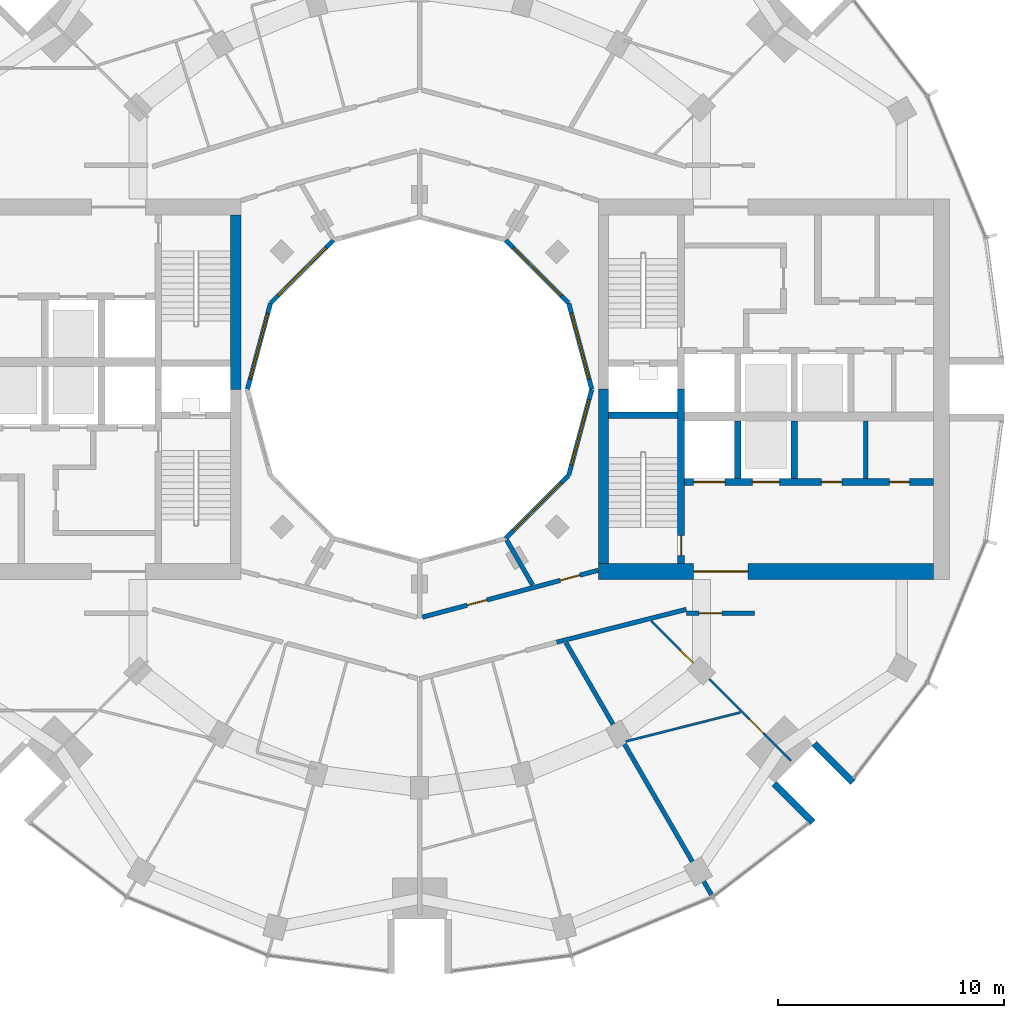
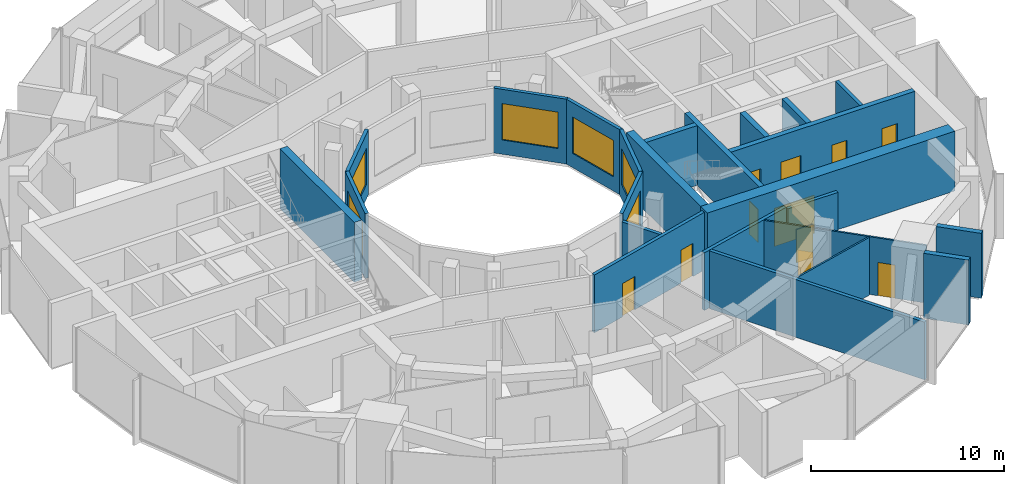
# One storey, part 10 of 15: 24 walls, 11 doors, 6 windows, 17 openings.
"""IFC4 building model written with IfcOpenShell, lengths in metres."""

from ifc_helpers import new_model, si_unit, direction, frame, frame_2d, origin, place, context, subcontext, project, spatial, rectangle, extrude, material, layer, layer_set, type_object, element, fill, save


model = new_model("IFC4")

# Units and contexts
model_context = context("Model", 3, precision=1e-05, world=origin(), true_north=direction((0.0, 1.0)))
body_context = subcontext(model_context, "Body", "Model", "MODEL_VIEW")
ifc_project = project(units=[si_unit("LENGTHUNIT", "METRE"), si_unit("AREAUNIT", "SQUARE_METRE"), si_unit("VOLUMEUNIT", "CUBIC_METRE"), si_unit("PLANEANGLEUNIT", "RADIAN"), si_unit("MASSUNIT", "GRAM", prefix="KILO")], contexts=[model_context])

# Site, building, storey
site_placement = place(None, origin())
site = spatial("IfcSite", under=ifc_project, at=site_placement, CompositionType="ELEMENT")
building_placement = place(site_placement, origin())
building = spatial("IfcBuilding", under=site, at=building_placement, Name="Torre Brocal", CompositionType="ELEMENT")
storey_placement = place(building_placement, frame((0.0, 0.0, 157.699951171875)))
storey = spatial("IfcBuildingStorey", under=building, at=storey_placement, Name="L36", CompositionType="ELEMENT", Elevation=157.699951171875)

# Wall
ifc_material_1 = material(Name="Masonry block", Category="masonry")
ifc_layer_1 = layer(ifc_material_1, 0.199951171875)
ifc_layer_set_1 = layer_set([ifc_layer_1], Name="Masonry block")
wall_type_1 = type_object("IfcWallType", Name="CORE PARTITION 200", PredefinedType="PARTITIONING", material=ifc_layer_set_1)
wall_1_placement = place(storey_placement, frame((99.699951171875, 71.050048828125, 0.0), z_axis=(0.0, 0.0, 1.0), x_axis=(0.0, 1.0, 0.0)))
element("IfcWall", 1, at=wall_1_placement, inside=storey, type_object=wall_type_1, Name="Wall CP200", PredefinedType="PARTITIONING", context=body_context, shape_type="SweptSolid", body=[
    extrude(rectangle(XDim=2.550048828125, YDim=0.199951171875, at=frame_2d((1.27490234375, 0.0))), origin(), (0.0, 0.0, 1.0), 3.780029296875),
])

# Wall, opening, door
ifc_material_2 = material(Name="Concrete C70", Category="concrete")
ifc_layer_2 = layer(ifc_material_2, 0.300048828125)
ifc_layer_set_2 = layer_set([ifc_layer_2], Name="Concrete C70")
wall_type_2 = type_object("IfcWallType", Name="CORE WALL 300 C70", PredefinedType="SHEAR", material=ifc_layer_set_2)
wall_2_placement = place(storey_placement, frame((91.550048828125, 67.300048828125, 0.0), z_axis=(0.0, 0.0, 1.0), x_axis=(0.0, 1.0, 0.0)))
wall_2 = element("IfcWall", 2, at=wall_2_placement, inside=storey, type_object=wall_type_2, Name="Wall CW300-70", PredefinedType="SHEAR", context=body_context, shape_type="SweptSolid", body=[
    extrude(rectangle(XDim=7.699951171875, YDim=0.300048828125, at=frame_2d((3.85009765625, 0.0))), origin(), (0.0, 0.0, 1.0), 3.780029296875),
])
opening_1_placement = place(wall_2_placement, frame((0.35009765625, 0.0, 0.0)))
opening_1 = element("IfcOpeningElement", 3, at=opening_1_placement, cuts=wall_2, Name="Opening E-D03", PredefinedType="OPENING", context=body_context, shape_type="SweptSolid", body=[
    extrude(rectangle(XDim=0.89990234375, YDim=2.10009765625, at=frame_2d((0.449951171875, 1.050048828125))), frame((0.0, 0.159912109375, 0.0), z_axis=(0.0, -1.0, 0.0), x_axis=(1.0, 0.0, 0.0)), (0.0, 0.0, 1.0), 0.320068359375),
])
ifc_material_3 = material(Name="Steel A653", Category="steel")
door_type_1 = type_object("IfcDoorType", Name="STAIR DOOR FD120 900X2100", OperationType="SINGLE_SWING_RIGHT", PredefinedType="DOOR", material=ifc_material_3)
door_1_placement = place(opening_1_placement, origin())
door_1 = element("IfcDoor", 4, at=door_1_placement, inside=storey, type_object=door_type_1, Name="Door E-D03", OperationType="SINGLE_SWING_LEFT", OverallHeight=2.10009765625, OverallWidth=0.89990234375, PredefinedType="DOOR", context=body_context, shape_type="SweptSolid", body=[
    extrude(rectangle(XDim=0.89990234375, YDim=2.10009765625, at=frame_2d((0.449951171875, 1.050048828125))), frame((0.0, 0.02490234375, 0.0), z_axis=(0.0, -1.0, 0.0), x_axis=(1.0, 0.0, 0.0)), (0.0, 0.0, 1.0), 0.050048828125),
])
fill(opening_1, door_1)

# Wall
wall_3_placement = place(storey_placement, frame((88.35009765625, 73.85009765625, 0.0), z_axis=(0.0, 0.0, 1.0), x_axis=(1.0, 0.0, 0.0)))
element("IfcWall", 5, at=wall_3_placement, inside=storey, type_object=wall_type_2, Name="Wall CW300-70", PredefinedType="SHEAR", context=body_context, shape_type="SweptSolid", body=[
    extrude(rectangle(XDim=3.0498046875, YDim=0.300048828125, at=frame_2d((1.52490234375, 0.0))), origin(), (0.0, 0.0, 1.0), 3.780029296875),
])

# Wall, openings, doors
wall_4_placement = place(storey_placement, frame((91.699951171875, 70.89990234375, 0.0), z_axis=(0.0, 0.0, 1.0), x_axis=(1.0, 0.0, 0.0)))
wall_4 = element("IfcWall", 6, at=wall_4_placement, inside=storey, type_object=wall_type_2, Name="Wall CW300-70", PredefinedType="SHEAR", context=body_context, shape_type="SweptSolid", body=[
    extrude(rectangle(XDim=11.0, YDim=0.300048828125, at=frame_2d((5.5, 0.0))), origin(), (0.0, 0.0, 1.0), 3.780029296875),
])
opening_2_placement = place(wall_4_placement, frame((0.39990234375, 0.0, 0.0)))
opening_2 = element("IfcOpeningElement", 7, at=opening_2_placement, cuts=wall_4, Name="Opening LD14", PredefinedType="OPENING", context=body_context, shape_type="SweptSolid", body=[
    extrude(rectangle(XDim=1.39990234375, YDim=2.10009765625, at=frame_2d((0.699951171875, 1.050048828125))), frame((0.0, 0.159912109375, 0.0), z_axis=(0.0, -1.0, 0.0), x_axis=(1.0, 0.0, 0.0)), (0.0, 0.0, 1.0), 0.320068359375),
])
opening_3_placement = place(wall_4_placement, frame((3.0, 0.0, 0.0)))
opening_3 = element("IfcOpeningElement", 8, at=opening_3_placement, cuts=wall_4, Name="Opening LD12", PredefinedType="OPENING", context=body_context, shape_type="SweptSolid", body=[
    extrude(rectangle(XDim=1.199951171875, YDim=2.10009765625, at=frame_2d((0.60009765625, 1.050048828125))), frame((0.0, 0.159912109375, 0.0), z_axis=(0.0, -1.0, 0.0), x_axis=(1.0, 0.0, 0.0)), (0.0, 0.0, 1.0), 0.320068359375),
])
opening_4_placement = place(wall_4_placement, frame((6.050048828125, 0.0, 0.0)))
opening_4 = element("IfcOpeningElement", 9, at=opening_4_placement, cuts=wall_4, Name="Opening E-D06", PredefinedType="OPENING", context=body_context, shape_type="SweptSolid", body=[
    extrude(rectangle(XDim=0.89990234375, YDim=2.10009765625, at=frame_2d((0.449951171875, 1.050048828125))), frame((0.0, 0.159912109375, 0.0), z_axis=(0.0, -1.0, 0.0), x_axis=(1.0, 0.0, 0.0)), (0.0, 0.0, 1.0), 0.320068359375),
])
opening_5_placement = place(wall_4_placement, frame((9.050048828125, 0.0, 0.0)))
opening_5 = element("IfcOpeningElement", 10, at=opening_5_placement, cuts=wall_4, Name="Opening E-D07", PredefinedType="OPENING", context=body_context, shape_type="SweptSolid", body=[
    extrude(rectangle(XDim=0.89990234375, YDim=2.10009765625, at=frame_2d((0.449951171875, 1.050048828125))), frame((0.0, 0.159912109375, 0.0), z_axis=(0.0, -1.0, 0.0), x_axis=(1.0, 0.0, 0.0)), (0.0, 0.0, 1.0), 0.320068359375),
])
ifc_material_4 = material(Name="Stainless steel AISI 316", Category="steel")
door_type_2 = type_object("IfcDoorType", Name="LIFT LANDING DOOR 1200X2100", OperationType="DOUBLE_DOOR_SLIDING", PredefinedType="DOOR", material=ifc_material_4)
door_2_placement = place(opening_3_placement, origin())
door_2 = element("IfcDoor", 11, at=door_2_placement, inside=storey, type_object=door_type_2, Name="Door LD12", OperationType="DOUBLE_DOOR_SLIDING", OverallHeight=2.10009765625, OverallWidth=1.199951171875, PredefinedType="DOOR", context=body_context, shape_type="SweptSolid", body=[
    extrude(rectangle(XDim=1.199951171875, YDim=2.10009765625, at=frame_2d((0.60009765625, 1.050048828125))), frame((0.0, 0.02490234375, 0.0), z_axis=(0.0, -1.0, 0.0), x_axis=(1.0, 0.0, 0.0)), (0.0, 0.0, 1.0), 0.050048828125),
])
fill(opening_3, door_2)
ifc_material_5 = material(Name="Stainless steel AISI 316", Category="steel")
door_type_3 = type_object("IfcDoorType", Name="LIFT LANDING DOOR 1400X2100", OperationType="DOUBLE_DOOR_SLIDING", PredefinedType="DOOR", material=ifc_material_5)
door_3_placement = place(opening_2_placement, origin())
door_3 = element("IfcDoor", 12, at=door_3_placement, inside=storey, type_object=door_type_3, Name="Door LD14", OperationType="DOUBLE_DOOR_SLIDING", OverallHeight=2.10009765625, OverallWidth=1.39990234375, PredefinedType="DOOR", context=body_context, shape_type="SweptSolid", body=[
    extrude(rectangle(XDim=1.39990234375, YDim=2.10009765625, at=frame_2d((0.699951171875, 1.050048828125))), frame((0.0, 0.02490234375, 0.0), z_axis=(0.0, -1.0, 0.0), x_axis=(1.0, 0.0, 0.0)), (0.0, 0.0, 1.0), 0.050048828125),
])
fill(opening_2, door_3)
ifc_material_6 = material(Name="Steel A653", Category="steel")
door_type_4 = type_object("IfcDoorType", Name="ROOM DOOR FD30S 900X2100", OperationType="SINGLE_SWING_LEFT", PredefinedType="DOOR", material=ifc_material_6)
door_4_placement = place(opening_4_placement, origin())
door_4 = element("IfcDoor", 13, at=door_4_placement, inside=storey, type_object=door_type_4, Name="Door E-D06", OperationType="SINGLE_SWING_RIGHT", OverallHeight=2.10009765625, OverallWidth=0.89990234375, PredefinedType="DOOR", context=body_context, shape_type="SweptSolid", body=[
    extrude(rectangle(XDim=0.89990234375, YDim=2.10009765625, at=frame_2d((0.449951171875, 1.050048828125))), frame((0.0, 0.02490234375, 0.0), z_axis=(0.0, -1.0, 0.0), x_axis=(1.0, 0.0, 0.0)), (0.0, 0.0, 1.0), 0.050048828125),
])
fill(opening_4, door_4)
door_5_placement = place(opening_5_placement, origin())
door_5 = element("IfcDoor", 14, at=door_5_placement, inside=storey, type_object=door_type_4, Name="Door E-D07", OperationType="SINGLE_SWING_LEFT", OverallHeight=2.10009765625, OverallWidth=0.89990234375, PredefinedType="DOOR", context=body_context, shape_type="SweptSolid", body=[
    extrude(rectangle(XDim=0.89990234375, YDim=2.10009765625, at=frame_2d((0.449951171875, 1.050048828125))), frame((0.0, 0.02490234375, 0.0), z_axis=(0.0, -1.0, 0.0), x_axis=(1.0, 0.0, 0.0)), (0.0, 0.0, 1.0), 0.050048828125),
])
fill(opening_5, door_5)

# Walls
for number, where, z_axis, x_axis, name in (
    (15, (94.050048828125, 71.050048828125, 0.0), (0.0, 0.0, 1.0), (0.0, 1.0, 0.0), "Wall CW300-70"),
    (16, (96.550048828125, 71.050048828125, 0.0), (0.0, 0.0, 1.0), (0.0, 1.0, 0.0), "Wall CW300-70"),
):
    element("IfcWall", number, at=place(storey_placement, frame(where, z_axis=z_axis, x_axis=x_axis)), inside=storey, type_object=wall_type_2, Name=name, PredefinedType="SHEAR", context=body_context, shape_type="SweptSolid", body=[
        extrude(rectangle(XDim=2.550048828125, YDim=0.300048828125, at=frame_2d((1.27490234375, 0.0))), origin(), (0.0, 0.0, 1.0), 3.780029296875),
    ])
ifc_material_7 = material(Name="Concrete C70", Category="concrete")
ifc_layer_3 = layer(ifc_material_7, 0.449951171875)
ifc_layer_set_3 = layer_set([ifc_layer_3], Name="Concrete C70")
wall_type_3 = type_object("IfcWallType", Name="CORE WALL 450 C70", PredefinedType="SHEAR", material=ifc_layer_set_3)
for number, where, z_axis, x_axis, name in (
    (17, (88.125, 67.300048828125, 0.0), (0.0, 0.0, 1.0), (0.0, 1.0, 0.0), "Wall CW450-70"),
    (18, (71.875, 82.699951171875, 0.0), (0.0, 0.0, 1.0), (0.0, -1.0, 0.0), "Wall CW450-70"),
):
    element("IfcWall", number, at=place(storey_placement, frame(where, z_axis=z_axis, x_axis=x_axis)), inside=storey, type_object=wall_type_3, Name=name, PredefinedType="SHEAR", context=body_context, shape_type="SweptSolid", body=[
        extrude(rectangle(XDim=7.699951171875, YDim=0.449951171875, at=frame_2d((3.85009765625, 0.0))), origin(), (0.0, 0.0, 1.0), 3.780029296875),
    ])

# Wall, opening, door
ifc_material_8 = material(Name="Concrete C70", Category="concrete")
ifc_layer_4 = layer(ifc_material_8, 0.699951171875)
ifc_layer_set_4 = layer_set([ifc_layer_4], Name="Concrete C70")
wall_type_4 = type_object("IfcWallType", Name="CORE WALL 700 C70", PredefinedType="SHEAR", material=ifc_layer_set_4)
wall_5_placement = place(storey_placement, frame((87.89990234375, 66.949951171875, 0.0), z_axis=(0.0, 0.0, 1.0), x_axis=(1.0, 0.0, 0.0)))
wall_5 = element("IfcWall", 19, at=wall_5_placement, inside=storey, type_object=wall_type_4, Name="Wall CW700-70", PredefinedType="SHEAR", context=body_context, shape_type="SweptSolid", body=[
    extrude(rectangle(XDim=14.800048828125, YDim=0.699951171875, at=frame_2d((7.39990234375, 0.0))), origin(), (0.0, 0.0, 1.0), 3.780029296875),
])
opening_6_placement = place(wall_5_placement, frame((4.199951171875, 0.0, 0.0)))
opening_6 = element("IfcOpeningElement", 20, at=opening_6_placement, cuts=wall_5, Name="Opening E-D12", PredefinedType="OPENING", context=body_context, shape_type="SweptSolid", body=[
    extrude(rectangle(XDim=2.39990234375, YDim=2.39990234375, at=frame_2d((1.199951171875, 1.199951171875))), frame((0.0, 0.35986328125, 0.0), z_axis=(0.0, -1.0, 0.0), x_axis=(1.0, 0.0, 0.0)), (0.0, 0.0, 1.0), 0.719970703125),
])
ifc_material_9 = material(Name="Steel A653", Category="steel")
door_type_5 = type_object("IfcDoorType", Name="DOUBLE FIRE DOOR FD90 2400X2400", OperationType="DOUBLE_DOOR_SINGLE_SWING", PredefinedType="DOOR", material=ifc_material_9)
door_6_placement = place(opening_6_placement, origin())
door_6 = element("IfcDoor", 21, at=door_6_placement, inside=storey, type_object=door_type_5, Name="Door E-D12", OperationType="DOUBLE_DOOR_SINGLE_SWING", OverallHeight=2.39990234375, OverallWidth=2.39990234375, PredefinedType="DOOR", context=body_context, shape_type="SweptSolid", body=[
    extrude(rectangle(XDim=2.39990234375, YDim=2.39990234375, at=frame_2d((1.199951171875, 1.199951171875))), frame((0.0, 0.02490234375, 0.0), z_axis=(0.0, -1.0, 0.0), x_axis=(1.0, 0.0, 0.0)), (0.0, 0.0, 1.0), 0.050048828125),
])
fill(opening_6, door_6)

# Walls
ifc_material_10 = material(Name="Concrete C70", Category="concrete")
ifc_layer_5 = layer(ifc_material_10, 0.300048828125)
ifc_layer_set_5 = layer_set([ifc_layer_5], Name="Concrete C70")
wall_type_5 = type_object("IfcWallType", Name="NOTCH RETURN WALL 300 C70", PredefinedType="NOTDEFINED", material=ifc_layer_set_5)
for number, where, z_axis, x_axis, name in (
    (22, (95.662353515625, 57.56982421875, 0.0), (0.0, 0.0, 1.0), (0.707106781187, -0.707106781187, 0.0), "NOTCH RETURN WALL"),
    (23, (97.43017578125, 59.337646484375, 0.0), (0.0, 0.0, 1.0), (0.707106781187, -0.707106781187, 0.0), "NOTCH RETURN WALL"),
):
    element("IfcWall", number, at=place(storey_placement, frame(where, z_axis=z_axis, x_axis=x_axis)), inside=storey, type_object=wall_type_5, Name=name, PredefinedType="NOTDEFINED", context=body_context, shape_type="SweptSolid", body=[
        extrude(rectangle(XDim=2.415771484375, YDim=0.300048828125, at=frame_2d((1.2080078125, 0.0))), origin(), (0.0, 0.0, 1.0), 4.10009765625),
    ])
ifc_material_11 = material(Name="Gypsum board", Category="Gypsum")
ifc_layer_6 = layer(ifc_material_11, 0.10009765625)
ifc_layer_set_6 = layer_set([ifc_layer_6], Name="Gypsum board")
wall_type_6 = type_object("IfcWallType", Name="PARTITION 100", PredefinedType="PARTITIONING", material=ifc_layer_set_6)
wall_6_placement = place(storey_placement, frame((89.105712890625, 59.44091796875, 0.0), z_axis=(0.0, 0.0, 1.0), x_axis=(0.969462385749, 0.245240051009, 0.0)))
element("IfcWall", 24, at=wall_6_placement, inside=storey, type_object=wall_type_6, Name="BATHROOM WALL", PredefinedType="PARTITIONING", context=body_context, shape_type="SweptSolid", body=[
    extrude(rectangle(XDim=5.223388671875, YDim=0.10009765625, at=frame_2d((2.61181640625, 0.0))), origin(), (0.0, 0.0, 1.0), 3.650146484375),
])

# Wall, openings, doors
wall_7_placement = place(storey_placement, frame((90.23583984375, 64.7578125, 0.0), z_axis=(0.0, 0.0, 1.0), x_axis=(0.706938769128, -0.707274753334, 0.0)))
wall_7 = element("IfcWall", 25, at=wall_7_placement, inside=storey, type_object=wall_type_6, Name="BATHROOM WALL", PredefinedType="PARTITIONING", context=body_context, shape_type="SweptSolid", body=[
    extrude(rectangle(XDim=8.7197265625, YDim=0.10009765625, at=frame_2d((4.35986328125, 0.0))), origin(), (0.0, 0.0, 1.0), 3.650146484375),
])
opening_7_placement = place(wall_7_placement, frame((6.114501953125, 0.0, 0.0)))
opening_7 = element("IfcOpeningElement", 26, at=opening_7_placement, cuts=wall_7, Name="Opening R01-D20", PredefinedType="OPENING", context=body_context, shape_type="SweptSolid", body=[
    extrude(rectangle(XDim=0.89990234375, YDim=2.10009765625, at=frame_2d((0.449951171875, 1.050048828125))), frame((0.0, 0.06005859375, 0.0), z_axis=(0.0, -1.0, 0.0), x_axis=(1.0, 0.0, 0.0)), (0.0, 0.0, 1.0), 0.1201171875),
])
opening_8_placement = place(wall_7_placement, frame((1.817138671875, 0.0, 0.0)))
opening_8 = element("IfcOpeningElement", 27, at=opening_8_placement, cuts=wall_7, Name="Opening R01-D21", PredefinedType="OPENING", context=body_context, shape_type="SweptSolid", body=[
    extrude(rectangle(XDim=0.800048828125, YDim=2.10009765625, at=frame_2d((0.39990234375, 1.050048828125))), frame((0.0, 0.06005859375, 0.0), z_axis=(0.0, -1.0, 0.0), x_axis=(1.0, 0.0, 0.0)), (0.0, 0.0, 1.0), 0.1201171875),
])
ifc_material_12 = material(Name="Timber", Category="wood")
door_type_6 = type_object("IfcDoorType", Name="BATHROOM DOOR 800X2100", OperationType="SINGLE_SWING_LEFT", PredefinedType="DOOR", material=ifc_material_12)
door_7_placement = place(opening_8_placement, frame((0.800048828125, 0.0, 0.0), z_axis=(0.0, 0.0, 1.0), x_axis=(-1.0, 0.0, 0.0)))
door_7 = element("IfcDoor", 28, at=door_7_placement, inside=storey, type_object=door_type_6, Name="R01-D21", OperationType="SINGLE_SWING_RIGHT", OverallHeight=2.10009765625, OverallWidth=0.800048828125, PredefinedType="DOOR", context=body_context, shape_type="SweptSolid", body=[
    extrude(rectangle(XDim=0.800048828125, YDim=2.10009765625, at=frame_2d((0.39990234375, 1.050048828125))), frame((0.0, 0.02490234375, 0.0), z_axis=(0.0, -1.0, 0.0), x_axis=(1.0, 0.0, 0.0)), (0.0, 0.0, 1.0), 0.050048828125),
])
fill(opening_8, door_7)
ifc_material_13 = material(Name="Timber", Category="wood")
door_type_7 = type_object("IfcDoorType", Name="ROOM DOOR 900X2100", OperationType="SINGLE_SWING_LEFT", PredefinedType="DOOR", material=ifc_material_13)
door_8_placement = place(opening_7_placement, origin())
door_8 = element("IfcDoor", 29, at=door_8_placement, inside=storey, type_object=door_type_7, Name="R01-D20", OperationType="SINGLE_SWING_LEFT", OverallHeight=2.10009765625, OverallWidth=0.89990234375, PredefinedType="DOOR", context=body_context, shape_type="SweptSolid", body=[
    extrude(rectangle(XDim=0.89990234375, YDim=2.10009765625, at=frame_2d((0.449951171875, 1.050048828125))), frame((0.0, 0.02490234375, 0.0), z_axis=(0.0, -1.0, 0.0), x_axis=(1.0, 0.0, 0.0)), (0.0, 0.0, 1.0), 0.050048828125),
])
fill(opening_7, door_8)

ifc_material_14 = material(Name="Gypsum board", Category="Gypsum")
ifc_layer_7 = layer(ifc_material_14, 0.199951171875)
ifc_layer_set_7 = layer_set([ifc_layer_7], Name="Gypsum board")
wall_type_7 = type_object("IfcWallType", Name="PARTITION 200 EI60", PredefinedType="PARTITIONING", material=ifc_layer_set_7)
wall_8_placement = place(storey_placement, frame((80.125, 64.931640625, 0.0), z_axis=(0.0, 0.0, 1.0), x_axis=(0.966236955806, 0.257655089674, 0.0)))
wall_8 = element("IfcWall", 30, at=wall_8_placement, inside=storey, type_object=wall_type_7, Name="CORRIDOR WALL", PredefinedType="PARTITIONING", context=body_context, shape_type="SweptSolid", body=[
    extrude(rectangle(XDim=8.0390625, YDim=0.199951171875, at=frame_2d((4.01953125, 0.0))), origin(), (0.0, 0.0, 1.0), 3.650146484375),
])
opening_9_placement = place(wall_8_placement, frame((6.298095703125, 0.0, 0.0)))
opening_9 = element("IfcOpeningElement", 31, at=opening_9_placement, cuts=wall_8, Name="Opening R01-D35", PredefinedType="OPENING", context=body_context, shape_type="SweptSolid", body=[
    extrude(rectangle(XDim=0.89990234375, YDim=2.10009765625, at=frame_2d((0.449951171875, 1.050048828125))), frame((0.0, 0.10986328125, 0.0), z_axis=(0.0, -1.0, 0.0), x_axis=(1.0, 0.0, 0.0)), (0.0, 0.0, 1.0), 0.219970703125),
])
opening_10_placement = place(wall_8_placement, frame((2.044921875, 0.0, 0.0)))
opening_10 = element("IfcOpeningElement", 32, at=opening_10_placement, cuts=wall_8, Name="Opening R01-D36", PredefinedType="OPENING", context=body_context, shape_type="SweptSolid", body=[
    extrude(rectangle(XDim=0.89990234375, YDim=2.10009765625, at=frame_2d((0.449951171875, 1.050048828125))), frame((0.0, 0.10986328125, 0.0), z_axis=(0.0, -1.0, 0.0), x_axis=(1.0, 0.0, 0.0)), (0.0, 0.0, 1.0), 0.219970703125),
])
door_9_placement = place(opening_9_placement, origin())
door_9 = element("IfcDoor", 33, at=door_9_placement, inside=storey, type_object=door_type_7, Name="R01-D35", OperationType="SINGLE_SWING_RIGHT", OverallHeight=2.10009765625, OverallWidth=0.89990234375, PredefinedType="DOOR", context=body_context, shape_type="SweptSolid", body=[
    extrude(rectangle(XDim=0.89990234375, YDim=2.10009765625, at=frame_2d((0.449951171875, 1.050048828125))), frame((0.0, 0.02490234375, 0.0), z_axis=(0.0, -1.0, 0.0), x_axis=(1.0, 0.0, 0.0)), (0.0, 0.0, 1.0), 0.050048828125),
])
fill(opening_9, door_9)
door_10_placement = place(opening_10_placement, origin())
door_10 = element("IfcDoor", 34, at=door_10_placement, inside=storey, type_object=door_type_7, Name="R01-D36", OperationType="SINGLE_SWING_RIGHT", OverallHeight=2.10009765625, OverallWidth=0.89990234375, PredefinedType="DOOR", context=body_context, shape_type="SweptSolid", body=[
    extrude(rectangle(XDim=0.89990234375, YDim=2.10009765625, at=frame_2d((0.449951171875, 1.050048828125))), frame((0.0, 0.02490234375, 0.0), z_axis=(0.0, -1.0, 0.0), x_axis=(1.0, 0.0, 0.0)), (0.0, 0.0, 1.0), 0.050048828125),
])
fill(opening_10, door_10)

# Walls
wall_9_placement = place(storey_placement, frame((83.849609375, 68.333251953125, 0.0), z_axis=(0.0, 0.0, 1.0), x_axis=(0.499953638813, -0.866052168773, 0.0)))
element("IfcWall", 35, at=wall_9_placement, inside=storey, type_object=wall_type_7, Name="SERVICE ROOM WALL", PredefinedType="PARTITIONING", context=body_context, shape_type="SweptSolid", body=[
    extrude(rectangle(XDim=2.285400390625, YDim=0.199951171875, at=frame_2d((1.142578125, 0.0))), origin(), (0.0, 0.0, 1.0), 3.650146484375),
])
wall_10_placement = place(storey_placement, frame((86.052978515625, 63.826171875, 0.0), z_axis=(0.0, 0.0, 1.0), x_axis=(0.969490004987, 0.245130843083, 0.0)))
element("IfcWall", 36, at=wall_10_placement, inside=storey, type_object=wall_type_7, Name="FLAT ENTRANCE WALL", PredefinedType="PARTITIONING", context=body_context, shape_type="SweptSolid", body=[
    extrude(rectangle(XDim=5.907958984375, YDim=0.199951171875, at=frame_2d((2.9541015625, 0.0))), origin(), (0.0, 0.0, 1.0), 3.650146484375),
])
wall_11_placement = place(storey_placement, frame((86.4658203125, 63.80126953125, 0.0), z_axis=(0.0, 0.0, 1.0), x_axis=(0.499951314491, -0.866053510551, 0.0)))
element("IfcWall", 37, at=wall_11_placement, inside=storey, type_object=wall_type_7, Name="BATHROOM WALL", PredefinedType="PARTITIONING", context=body_context, shape_type="SweptSolid", body=[
    extrude(rectangle(XDim=12.866455078125, YDim=0.199951171875, at=frame_2d((6.43310546875, 0.0))), origin(), (0.0, 0.0, 1.0), 3.650146484375),
])

# Wall, opening, door
wall_12_placement = place(storey_placement, frame((91.800048828125, 65.10009765625, 0.0), z_axis=(0.0, 0.0, 1.0), x_axis=(1.0, 0.0, 0.0)))
wall_12 = element("IfcWall", 38, at=wall_12_placement, inside=storey, type_object=wall_type_7, Name="FLAT ENTRANCE WALL", PredefinedType="PARTITIONING", context=body_context, shape_type="SweptSolid", body=[
    extrude(rectangle(XDim=3.0, YDim=0.199951171875, at=frame_2d((1.5, 0.0))), origin(), (0.0, 0.0, 1.0), 3.650146484375),
])
opening_11_placement = place(wall_12_placement, frame((0.550048828125, 0.0, 0.0)))
opening_11 = element("IfcOpeningElement", 39, at=opening_11_placement, cuts=wall_12, Name="Opening R01-D19", PredefinedType="OPENING", context=body_context, shape_type="SweptSolid", body=[
    extrude(rectangle(XDim=1.0, YDim=2.10009765625, at=frame_2d((0.5, 1.050048828125))), frame((0.0, 0.10986328125, 0.0), z_axis=(0.0, -1.0, 0.0), x_axis=(1.0, 0.0, 0.0)), (0.0, 0.0, 1.0), 0.219970703125),
])
ifc_material_15 = material(Name="Timber", Category="wood")
door_type_8 = type_object("IfcDoorType", Name="FLAT ENTRY DOOR FD30S 1000X2100", OperationType="SINGLE_SWING_RIGHT", PredefinedType="DOOR", material=ifc_material_15)
door_11_placement = place(opening_11_placement, frame((1.0, 0.0, 0.0), z_axis=(0.0, 0.0, 1.0), x_axis=(-1.0, 0.0, 0.0)))
door_11 = element("IfcDoor", 40, at=door_11_placement, inside=storey, type_object=door_type_8, Name="R01-D19", OperationType="SINGLE_SWING_RIGHT", OverallHeight=2.10009765625, OverallWidth=1.0, PredefinedType="DOOR", context=body_context, shape_type="SweptSolid", body=[
    extrude(rectangle(XDim=1.0, YDim=2.10009765625, at=frame_2d((0.5, 1.050048828125))), frame((0.0, 0.02490234375, 0.0), z_axis=(0.0, -1.0, 0.0), x_axis=(1.0, 0.0, 0.0)), (0.0, 0.0, 1.0), 0.050048828125),
])
fill(opening_11, door_11)

# Wall, opening, window
ifc_material_16 = material(Name="Concrete C40", Category="concrete")
ifc_layer_8 = layer(ifc_material_16, 0.199951171875)
ifc_layer_set_8 = layer_set([ifc_layer_8], Name="Concrete C40")
wall_type_8 = type_object("IfcWallType", Name="WELL FACADE WALL 200", PredefinedType="NOTDEFINED", material=ifc_layer_set_8)
wall_13_placement = place(storey_placement, frame((87.603515625, 75.0, 0.0), z_axis=(0.0, 0.0, 1.0), x_axis=(-0.258789828301, 0.965933654434, 0.0)))
wall_13 = element("IfcWall", 41, at=wall_13_placement, inside=storey, type_object=wall_type_8, Name="WELL FACADE WALL", PredefinedType="NOTDEFINED", context=body_context, shape_type="SweptSolid", body=[
    extrude(rectangle(XDim=3.935791015625, YDim=0.199951171875, at=frame_2d((1.9677734375, 0.0))), origin(), (0.0, 0.0, 1.0), 4.10009765625),
])
opening_12_placement = place(wall_13_placement, frame((0.468017578125, 0.0, 0.89990234375)))
opening_12 = element("IfcOpeningElement", 42, at=opening_12_placement, cuts=wall_13, Name="Opening W1", PredefinedType="OPENING", context=body_context, shape_type="SweptSolid", body=[
    extrude(rectangle(XDim=3.0, YDim=2.300048828125, at=frame_2d((1.5, 1.14990234375))), frame((0.0, 0.10986328125, 0.0), z_axis=(0.0, -1.0, 0.0), x_axis=(1.0, 0.0, 0.0)), (0.0, 0.0, 1.0), 0.219970703125),
])
ifc_material_17 = material(Name="Aluminium and glass", Category="aluminium")
window_type = type_object("IfcWindowType", Name="WELL WINDOW 3000X2300", PartitioningType="SINGLE_PANEL", PredefinedType="WINDOW", material=ifc_material_17)
window_1_placement = place(opening_12_placement, origin())
window_1 = element("IfcWindow", 43, at=window_1_placement, inside=storey, type_object=window_type, Name="WELL WINDOW 3000X2300", OverallHeight=2.300048828125, OverallWidth=3.0, PartitioningType="SINGLE_PANEL", PredefinedType="WINDOW", context=body_context, shape_type="SweptSolid", body=[
    extrude(rectangle(XDim=3.0, YDim=2.300048828125, at=frame_2d((1.5, 1.14990234375))), frame((0.0, 0.030029296875, 0.0), z_axis=(0.0, -1.0, 0.0), x_axis=(1.0, 0.0, 0.0)), (0.0, 0.0, 1.0), 0.06005859375),
])
fill(opening_12, window_1)

wall_14_placement = place(storey_placement, frame((86.5849609375, 78.8017578125, 0.0), z_axis=(0.0, 0.0, 1.0), x_axis=(-0.707106781187, 0.707106781187, 0.0)))
wall_14 = element("IfcWall", 44, at=wall_14_placement, inside=storey, type_object=wall_type_8, Name="WELL FACADE WALL", PredefinedType="NOTDEFINED", context=body_context, shape_type="SweptSolid", body=[
    extrude(rectangle(XDim=3.93603515625, YDim=0.199951171875, at=frame_2d((1.968017578125, 0.0))), origin(), (0.0, 0.0, 1.0), 4.10009765625),
])
opening_13_placement = place(wall_14_placement, frame((0.468017578125, 0.0, 0.89990234375)))
opening_13 = element("IfcOpeningElement", 45, at=opening_13_placement, cuts=wall_14, Name="Opening W1", PredefinedType="OPENING", context=body_context, shape_type="SweptSolid", body=[
    extrude(rectangle(XDim=3.0, YDim=2.300048828125, at=frame_2d((1.5, 1.14990234375))), frame((0.0, 0.10986328125, 0.0), z_axis=(0.0, -1.0, 0.0), x_axis=(1.0, 0.0, 0.0)), (0.0, 0.0, 1.0), 0.219970703125),
])
window_2_placement = place(opening_13_placement, origin())
window_2 = element("IfcWindow", 46, at=window_2_placement, inside=storey, type_object=window_type, Name="WELL WINDOW 3000X2300", OverallHeight=2.300048828125, OverallWidth=3.0, PartitioningType="SINGLE_PANEL", PredefinedType="WINDOW", context=body_context, shape_type="SweptSolid", body=[
    extrude(rectangle(XDim=3.0, YDim=2.300048828125, at=frame_2d((1.5, 1.14990234375))), frame((0.0, 0.030029296875, 0.0), z_axis=(0.0, -1.0, 0.0), x_axis=(1.0, 0.0, 0.0)), (0.0, 0.0, 1.0), 0.06005859375),
])
fill(opening_13, window_2)

wall_15_placement = place(storey_placement, frame((76.1982421875, 81.5849609375, 0.0), z_axis=(0.0, 0.0, 1.0), x_axis=(-0.707106781187, -0.707106781187, 0.0)))
wall_15 = element("IfcWall", 47, at=wall_15_placement, inside=storey, type_object=wall_type_8, Name="WELL FACADE WALL", PredefinedType="NOTDEFINED", context=body_context, shape_type="SweptSolid", body=[
    extrude(rectangle(XDim=3.93603515625, YDim=0.199951171875, at=frame_2d((1.968017578125, 0.0))), origin(), (0.0, 0.0, 1.0), 4.10009765625),
])
opening_14_placement = place(wall_15_placement, frame((0.468017578125, 0.0, 0.89990234375)))
opening_14 = element("IfcOpeningElement", 48, at=opening_14_placement, cuts=wall_15, Name="Opening W1", PredefinedType="OPENING", context=body_context, shape_type="SweptSolid", body=[
    extrude(rectangle(XDim=3.0, YDim=2.300048828125, at=frame_2d((1.5, 1.14990234375))), frame((0.0, 0.10986328125, 0.0), z_axis=(0.0, -1.0, 0.0), x_axis=(1.0, 0.0, 0.0)), (0.0, 0.0, 1.0), 0.219970703125),
])
window_3_placement = place(opening_14_placement, origin())
window_3 = element("IfcWindow", 49, at=window_3_placement, inside=storey, type_object=window_type, Name="WELL WINDOW 3000X2300", OverallHeight=2.300048828125, OverallWidth=3.0, PartitioningType="SINGLE_PANEL", PredefinedType="WINDOW", context=body_context, shape_type="SweptSolid", body=[
    extrude(rectangle(XDim=3.0, YDim=2.300048828125, at=frame_2d((1.5, 1.14990234375))), frame((0.0, 0.030029296875, 0.0), z_axis=(0.0, -1.0, 0.0), x_axis=(1.0, 0.0, 0.0)), (0.0, 0.0, 1.0), 0.06005859375),
])
fill(opening_14, window_3)

wall_16_placement = place(storey_placement, frame((73.4150390625, 78.8017578125, 0.0), z_axis=(0.0, 0.0, 1.0), x_axis=(-0.258789828301, -0.965933654434, 0.0)))
wall_16 = element("IfcWall", 50, at=wall_16_placement, inside=storey, type_object=wall_type_8, Name="WELL FACADE WALL", PredefinedType="NOTDEFINED", context=body_context, shape_type="SweptSolid", body=[
    extrude(rectangle(XDim=3.935791015625, YDim=0.199951171875, at=frame_2d((1.9677734375, 0.0))), origin(), (0.0, 0.0, 1.0), 4.10009765625),
])
opening_15_placement = place(wall_16_placement, frame((0.468017578125, 0.0, 0.89990234375)))
opening_15 = element("IfcOpeningElement", 51, at=opening_15_placement, cuts=wall_16, Name="Opening W1", PredefinedType="OPENING", context=body_context, shape_type="SweptSolid", body=[
    extrude(rectangle(XDim=3.0, YDim=2.300048828125, at=frame_2d((1.5, 1.14990234375))), frame((0.0, 0.10986328125, 0.0), z_axis=(0.0, -1.0, 0.0), x_axis=(1.0, 0.0, 0.0)), (0.0, 0.0, 1.0), 0.219970703125),
])
window_4_placement = place(opening_15_placement, origin())
window_4 = element("IfcWindow", 52, at=window_4_placement, inside=storey, type_object=window_type, Name="WELL WINDOW 3000X2300", OverallHeight=2.300048828125, OverallWidth=3.0, PartitioningType="SINGLE_PANEL", PredefinedType="WINDOW", context=body_context, shape_type="SweptSolid", body=[
    extrude(rectangle(XDim=3.0, YDim=2.300048828125, at=frame_2d((1.5, 1.14990234375))), frame((0.0, 0.030029296875, 0.0), z_axis=(0.0, -1.0, 0.0), x_axis=(1.0, 0.0, 0.0)), (0.0, 0.0, 1.0), 0.06005859375),
])
fill(opening_15, window_4)

wall_17_placement = place(storey_placement, frame((83.8017578125, 68.4150390625, 0.0), z_axis=(0.0, 0.0, 1.0), x_axis=(0.707106781187, 0.707106781187, 0.0)))
wall_17 = element("IfcWall", 53, at=wall_17_placement, inside=storey, type_object=wall_type_8, Name="WELL FACADE WALL", PredefinedType="NOTDEFINED", context=body_context, shape_type="SweptSolid", body=[
    extrude(rectangle(XDim=3.93603515625, YDim=0.199951171875, at=frame_2d((1.968017578125, 0.0))), origin(), (0.0, 0.0, 1.0), 4.10009765625),
])
opening_16_placement = place(wall_17_placement, frame((0.468017578125, 0.0, 0.89990234375)))
opening_16 = element("IfcOpeningElement", 54, at=opening_16_placement, cuts=wall_17, Name="Opening W1", PredefinedType="OPENING", context=body_context, shape_type="SweptSolid", body=[
    extrude(rectangle(XDim=3.0, YDim=2.300048828125, at=frame_2d((1.5, 1.14990234375))), frame((0.0, 0.10986328125, 0.0), z_axis=(0.0, -1.0, 0.0), x_axis=(1.0, 0.0, 0.0)), (0.0, 0.0, 1.0), 0.219970703125),
])
window_5_placement = place(opening_16_placement, origin())
window_5 = element("IfcWindow", 55, at=window_5_placement, inside=storey, type_object=window_type, Name="WELL WINDOW 3000X2300", OverallHeight=2.300048828125, OverallWidth=3.0, PartitioningType="SINGLE_PANEL", PredefinedType="WINDOW", context=body_context, shape_type="SweptSolid", body=[
    extrude(rectangle(XDim=3.0, YDim=2.300048828125, at=frame_2d((1.5, 1.14990234375))), frame((0.0, 0.030029296875, 0.0), z_axis=(0.0, -1.0, 0.0), x_axis=(1.0, 0.0, 0.0)), (0.0, 0.0, 1.0), 0.06005859375),
])
fill(opening_16, window_5)

wall_18_placement = place(storey_placement, frame((86.5849609375, 71.1982421875, 0.0), z_axis=(0.0, 0.0, 1.0), x_axis=(0.258789828301, 0.965933654434, 0.0)))
wall_18 = element("IfcWall", 56, at=wall_18_placement, inside=storey, type_object=wall_type_8, Name="WELL FACADE WALL", PredefinedType="NOTDEFINED", context=body_context, shape_type="SweptSolid", body=[
    extrude(rectangle(XDim=3.935791015625, YDim=0.199951171875, at=frame_2d((1.9677734375, 0.0))), origin(), (0.0, 0.0, 1.0), 4.10009765625),
])
opening_17_placement = place(wall_18_placement, frame((0.468017578125, 0.0, 0.89990234375)))
opening_17 = element("IfcOpeningElement", 57, at=opening_17_placement, cuts=wall_18, Name="Opening W1", PredefinedType="OPENING", context=body_context, shape_type="SweptSolid", body=[
    extrude(rectangle(XDim=3.0, YDim=2.300048828125, at=frame_2d((1.5, 1.14990234375))), frame((0.0, 0.10986328125, 0.0), z_axis=(0.0, -1.0, 0.0), x_axis=(1.0, 0.0, 0.0)), (0.0, 0.0, 1.0), 0.219970703125),
])
window_6_placement = place(opening_17_placement, origin())
window_6 = element("IfcWindow", 58, at=window_6_placement, inside=storey, type_object=window_type, Name="WELL WINDOW 3000X2300", OverallHeight=2.300048828125, OverallWidth=3.0, PartitioningType="SINGLE_PANEL", PredefinedType="WINDOW", context=body_context, shape_type="SweptSolid", body=[
    extrude(rectangle(XDim=3.0, YDim=2.300048828125, at=frame_2d((1.5, 1.14990234375))), frame((0.0, 0.030029296875, 0.0), z_axis=(0.0, -1.0, 0.0), x_axis=(1.0, 0.0, 0.0)), (0.0, 0.0, 1.0), 0.06005859375),
])
fill(opening_17, window_6)

save(model, "model.ifc")
